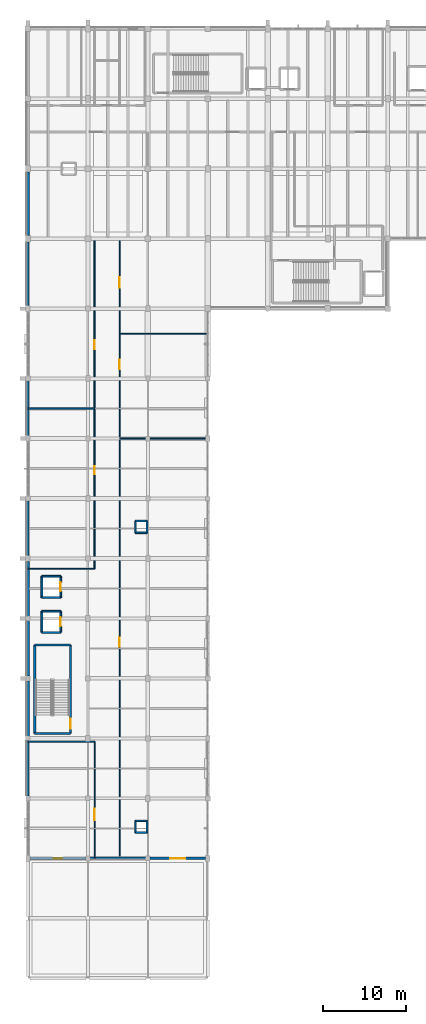
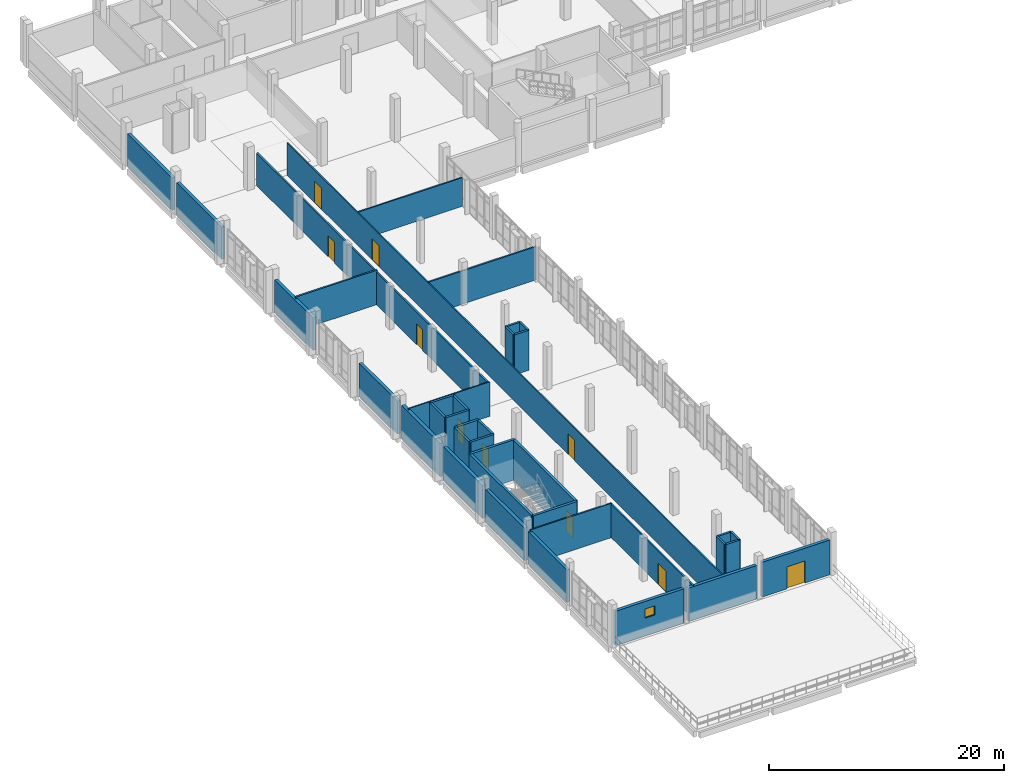
# One storey, part 47 of 57: 39 walls, 10 doors, 1 window, 11 openings.
"""IFC4 building model written with IfcOpenShell, lengths in metres."""

from ifc_helpers import new_model, si_unit, direction, frame, frame_2d, origin, place, context, subcontext, project, spatial, rectangle, extrude, material, layer, layer_set, type_object, element, fill, save


model = new_model("IFC4")

# Units and contexts
model_context = context("Model", 3, precision=1e-05, world=origin(), true_north=direction((0.0, 1.0)))
body_context = subcontext(model_context, "Body", "Model", "MODEL_VIEW")
ifc_project = project(units=[si_unit("LENGTHUNIT", "METRE"), si_unit("AREAUNIT", "SQUARE_METRE"), si_unit("VOLUMEUNIT", "CUBIC_METRE"), si_unit("PLANEANGLEUNIT", "RADIAN"), si_unit("MASSUNIT", "GRAM", prefix="KILO")], contexts=[model_context])

# Site, building, storey
site_placement = place(None, origin())
site = spatial("IfcSite", under=ifc_project, at=site_placement, CompositionType="ELEMENT")
building_placement = place(site_placement, origin())
building = spatial("IfcBuilding", under=site, at=building_placement, Name="Kalluvel Institute of Natural Sciences", CompositionType="ELEMENT")
storey_placement = place(building_placement, frame((0.0, 0.0, 23.39990234375)))
storey = spatial("IfcBuildingStorey", under=building, at=storey_placement, Name="L05", CompositionType="ELEMENT", Elevation=23.39990234375)

# Wall
ifc_material_1 = material(Name="Concrete M40", Category="concrete")
ifc_layer_1 = layer(ifc_material_1, 0.25)
ifc_layer_set_1 = layer_set([ifc_layer_1], Name="Concrete M40")
wall_type_1 = type_object("IfcWallType", Name="WL-CORE-250", PredefinedType="SHEAR", material=ifc_layer_set_1)
wall_1_placement = place(storey_placement, frame((14.81494140625, 43.385009765625, 0.0), z_axis=(0.0, 0.0, 1.0), x_axis=(1.0, 0.0, 0.0)))
element("IfcWall", 1, at=wall_1_placement, inside=storey, type_object=wall_type_1, Name="ST4 L05 core wall S", PredefinedType="SHEAR", context=body_context, shape_type="SweptSolid", body=[
    extrude(rectangle(XDim=4.300048828125, YDim=0.25, at=frame_2d((2.14990234375, 0.0))), origin(), (0.0, 0.0, 1.0), 4.195068359375),
])

# Wall, opening, door
wall_2_placement = place(storey_placement, frame((19.114990234375, 43.385009765625, 0.0), z_axis=(0.0, 0.0, 1.0), x_axis=(0.0, 1.0, 0.0)))
wall_2 = element("IfcWall", 2, at=wall_2_placement, inside=storey, type_object=wall_type_1, Name="ST4 L05 core wall E", PredefinedType="SHEAR", context=body_context, shape_type="SweptSolid", body=[
    extrude(rectangle(XDim=10.6298828125, YDim=0.25, at=frame_2d((5.31494140625, 0.0))), origin(), (0.0, 0.0, 1.0), 4.195068359375),
])
opening_1_placement = place(wall_2_placement, frame((0.550048828125, 0.0, 0.0)))
opening_1 = element("IfcOpeningElement", 3, at=opening_1_placement, cuts=wall_2, Name="Opening DS-040", PredefinedType="OPENING", context=body_context, shape_type="SweptSolid", body=[
    extrude(rectangle(XDim=1.199951171875, YDim=2.14990234375, at=frame_2d((0.60009765625, 1.074951171875))), frame((0.0, 0.135009765625, 0.0), z_axis=(0.0, -1.0, 0.0), x_axis=(1.0, 0.0, 0.0)), (0.0, 0.0, 1.0), 0.27001953125),
])
ifc_material_2 = material(Name="Galvanized Fire-Rated Steel", Category="steel")
door_type_1 = type_object("IfcDoorType", Name="DR-ST-1200", OperationType="NOTDEFINED", PredefinedType="DOOR", material=ifc_material_2)
door_1_placement = place(opening_1_placement, origin())
door_1 = element("IfcDoor", 4, at=door_1_placement, inside=storey, type_object=door_type_1, Name="ST4 L05 protected stair door DS-040", OperationType="SINGLE_SWING_LEFT", OverallHeight=2.14990234375, OverallWidth=1.199951171875, PredefinedType="DOOR", context=body_context, shape_type="SweptSolid", body=[
    extrude(rectangle(XDim=1.199951171875, YDim=2.14990234375, at=frame_2d((0.60009765625, 1.074951171875))), frame((0.0, 0.02490234375, 0.0), z_axis=(0.0, -1.0, 0.0), x_axis=(1.0, 0.0, 0.0)), (0.0, 0.0, 1.0), 0.050048828125),
])
fill(opening_1, door_1)

# Walls
wall_3_placement = place(storey_placement, frame((19.114990234375, 54.014892578125, 0.0), z_axis=(0.0, 0.0, 1.0), x_axis=(-1.0, 0.0, 0.0)))
element("IfcWall", 5, at=wall_3_placement, inside=storey, type_object=wall_type_1, Name="ST4 L05 core wall N", PredefinedType="SHEAR", context=body_context, shape_type="SweptSolid", body=[
    extrude(rectangle(XDim=4.300048828125, YDim=0.25, at=frame_2d((2.14990234375, 0.0))), origin(), (0.0, 0.0, 1.0), 4.195068359375),
])
wall_4_placement = place(storey_placement, frame((14.81494140625, 54.014892578125, 0.0), z_axis=(0.0, 0.0, 1.0), x_axis=(0.0, -1.0, 0.0)))
element("IfcWall", 6, at=wall_4_placement, inside=storey, type_object=wall_type_1, Name="ST4 L05 core wall W", PredefinedType="SHEAR", context=body_context, shape_type="SweptSolid", body=[
    extrude(rectangle(XDim=10.6298828125, YDim=0.25, at=frame_2d((5.31494140625, 0.0))), origin(), (0.0, 0.0, 1.0), 4.195068359375),
])
ifc_material_3 = material(Name="Sadarahalli Grey Granite Ashlar Concrete M40", Category="masonry")
ifc_layer_2 = layer(ifc_material_3, 0.300048828125)
ifc_layer_set_2 = layer_set([ifc_layer_2], Name="Sadarahalli Grey Granite Ashlar Concrete M40")
wall_type_2 = type_object("IfcWallType", Name="WL-EXT-300", PredefinedType="SOLIDWALL", material=ifc_layer_set_2)
wall_5_placement = place(storey_placement, frame((14.0, 35.8798828125, 0.0), z_axis=(0.0, 0.0, 1.0), x_axis=(0.0, 1.0, 0.0)))
element("IfcWall", 7, at=wall_5_placement, inside=storey, type_object=wall_type_2, Name="L05 Sadarahalli granite exterior wall WL-EXT-L05-0191", PredefinedType="SOLIDWALL", context=body_context, shape_type="SweptSolid", body=[
    extrude(rectangle(XDim=6.6650390625, YDim=0.300048828125, at=frame_2d((3.33251953125, 0.0))), origin(), (0.0, 0.0, 1.0), 3.375),
])
wall_6_placement = place(storey_placement, frame((14.0, 64.7548828125, 0.0), z_axis=(0.0, 0.0, 1.0), x_axis=(0.0, 1.0, 0.0)))
element("IfcWall", 8, at=wall_6_placement, inside=storey, type_object=wall_type_2, Name="L05 Sadarahalli granite exterior wall WL-EXT-L05-0195", PredefinedType="SOLIDWALL", context=body_context, shape_type="SweptSolid", body=[
    extrude(rectangle(XDim=6.565185546875, YDim=0.300048828125, at=frame_2d((3.28271484375, 0.0))), origin(), (0.0, 0.0, 1.0), 3.425048828125),
])
wall_7_placement = place(storey_placement, frame((14.0, 79.1298828125, 0.0), z_axis=(0.0, 0.0, 1.0), x_axis=(0.0, 1.0, 0.0)))
element("IfcWall", 9, at=wall_7_placement, inside=storey, type_object=wall_type_2, Name="L05 Sadarahalli granite exterior wall WL-EXT-L05-0196", PredefinedType="SOLIDWALL", context=body_context, shape_type="SweptSolid", body=[
    extrude(rectangle(XDim=6.590087890625, YDim=0.300048828125, at=frame_2d((3.294921875, 0.0))), origin(), (0.0, 0.0, 1.0), 3.375),
])
wall_8_placement = place(storey_placement, frame((14.0, 94.7548828125, 0.0), z_axis=(0.0, 0.0, 1.0), x_axis=(0.0, 1.0, 0.0)))
element("IfcWall", 10, at=wall_8_placement, inside=storey, type_object=wall_type_2, Name="L05 Sadarahalli granite exterior wall WL-EXT-L05-0197", PredefinedType="SOLIDWALL", context=body_context, shape_type="SweptSolid", body=[
    extrude(rectangle(XDim=7.6650390625, YDim=0.300048828125, at=frame_2d((3.83251953125, 0.0))), origin(), (0.0, 0.0, 1.0), 3.35498046875),
])

# Wall, opening, window
wall_9_placement = place(storey_placement, frame((14.22998046875, 28.39990234375, 0.0), z_axis=(0.0, 0.0, 1.0), x_axis=(1.0, 0.0, 0.0)))
wall_9 = element("IfcWall", 11, at=wall_9_placement, inside=storey, type_object=wall_type_2, Name="L05 Sadarahalli granite exterior wall WL-EXT-L05-0198", PredefinedType="SOLIDWALL", context=body_context, shape_type="SweptSolid", body=[
    extrude(rectangle(XDim=6.76513671875, YDim=0.300048828125, at=frame_2d((3.382568359375, 0.0))), origin(), (0.0, 0.0, 1.0), 3.5751953125),
])
opening_2_placement = place(wall_9_placement, frame((2.882568359375, 0.0, 1.85009765625)))
opening_2 = element("IfcOpeningElement", 12, at=opening_2_placement, cuts=wall_9, Name="Opening W-23", PredefinedType="OPENING", context=body_context, shape_type="SweptSolid", body=[
    extrude(rectangle(XDim=1.0, YDim=0.949951171875, at=frame_2d((0.5, 0.47509765625))), frame((0.0, 0.159912109375, 0.0), z_axis=(0.0, -1.0, 0.0), x_axis=(1.0, 0.0, 0.0)), (0.0, 0.0, 1.0), 0.320068359375),
])
ifc_material_4 = material(Name="Solar-Control Low-E Laminated Glass", Category="glass")
window_type = type_object("IfcWindowType", Name="WN-HIGH-100x095", PartitioningType="SINGLE_PANEL", PredefinedType="WINDOW", material=ifc_material_4)
window_placement = place(opening_2_placement, origin())
window = element("IfcWindow", 13, at=window_placement, inside=storey, type_object=window_type, Name="L05 Gothic lancet window 33", OverallHeight=0.949951171875, OverallWidth=1.0, PartitioningType="SINGLE_PANEL", PredefinedType="WINDOW", context=body_context, shape_type="SweptSolid", body=[
    extrude(rectangle(XDim=1.0, YDim=0.949951171875, at=frame_2d((0.5, 0.47509765625))), frame((0.0, 0.030029296875, 0.0), z_axis=(0.0, -1.0, 0.0), x_axis=(1.0, 0.0, 0.0)), (0.0, 0.0, 1.0), 0.06005859375),
])
fill(opening_2, window)

# Wall
wall_10_placement = place(storey_placement, frame((21.405029296875, 28.39990234375, 0.0), z_axis=(0.0, 0.0, 1.0), x_axis=(1.0, 0.0, 0.0)))
element("IfcWall", 14, at=wall_10_placement, inside=storey, type_object=wall_type_2, Name="L05 Sadarahalli granite exterior wall WL-EXT-L05-0199", PredefinedType="SOLIDWALL", context=body_context, shape_type="SweptSolid", body=[
    extrude(rectangle(XDim=6.739990234375, YDim=0.300048828125, at=frame_2d((3.3701171875, 0.0))), origin(), (0.0, 0.0, 1.0), 3.47509765625),
])

# Wall, opening, door
wall_11_placement = place(storey_placement, frame((28.655029296875, 28.39990234375, 0.0), z_axis=(0.0, 0.0, 1.0), x_axis=(1.0, 0.0, 0.0)))
wall_11 = element("IfcWall", 15, at=wall_11_placement, inside=storey, type_object=wall_type_2, Name="L05 Sadarahalli granite exterior wall WL-EXT-L05-0200", PredefinedType="SOLIDWALL", context=body_context, shape_type="SweptSolid", body=[
    extrude(rectangle(XDim=6.68994140625, YDim=0.300048828125, at=frame_2d((3.344970703125, 0.0))), origin(), (0.0, 0.0, 1.0), 3.6201171875),
])
opening_3_placement = place(wall_11_placement, frame((2.445068359375, 0.0, 0.0)))
opening_3 = element("IfcOpeningElement", 16, at=opening_3_placement, cuts=wall_11, Name="Opening DT-004", PredefinedType="OPENING", context=body_context, shape_type="SweptSolid", body=[
    extrude(rectangle(XDim=1.800048828125, YDim=2.300048828125, at=frame_2d((0.89990234375, 1.14990234375))), frame((0.0, 0.159912109375, 0.0), z_axis=(0.0, -1.0, 0.0), x_axis=(1.0, 0.0, 0.0)), (0.0, 0.0, 1.0), 0.320068359375),
])
ifc_material_5 = material(Name="Aluminium AW-6063 T6", Category="aluminium")
door_type_2 = type_object("IfcDoorType", Name="DR-TER-1800", OperationType="NOTDEFINED", PredefinedType="DOOR", material=ifc_material_5)
door_2_placement = place(opening_3_placement, origin())
door_2 = element("IfcDoor", 17, at=door_2_placement, inside=storey, type_object=door_type_2, Name="L05 South Planted Setback Terrace Door", OperationType="DOUBLE_DOOR_SINGLE_SWING", OverallHeight=2.300048828125, OverallWidth=1.800048828125, PredefinedType="DOOR", context=body_context, shape_type="SweptSolid", body=[
    extrude(rectangle(XDim=1.800048828125, YDim=2.300048828125, at=frame_2d((0.89990234375, 1.14990234375))), frame((0.0, 0.02490234375, 0.0), z_axis=(0.0, -1.0, 0.0), x_axis=(1.0, 0.0, 0.0)), (0.0, 0.0, 1.0), 0.050048828125),
])
fill(opening_3, door_2)

# Walls
ifc_layer_3 = layer(ifc_material_3, 0.320068359375)
ifc_layer_set_3 = layer_set([ifc_layer_3], Name="Sadarahalli Grey Granite Ashlar Concrete M40")
wall_type_3 = type_object("IfcWallType", Name="WL-EXT-320", PredefinedType="SOLIDWALL", material=ifc_layer_set_3)
wall_12_placement = place(storey_placement, frame((14.0, 103.179931640625, 0.0), z_axis=(0.0, 0.0, 1.0), x_axis=(0.0, 1.0, 0.0)))
element("IfcWall", 18, at=wall_12_placement, inside=storey, type_object=wall_type_3, Name="L05 Sadarahalli granite exterior wall WL-EXT-L05-0071", PredefinedType="SOLIDWALL", context=body_context, shape_type="SweptSolid", body=[
    extrude(rectangle(XDim=7.64013671875, YDim=0.320068359375, at=frame_2d((3.820068359375, 0.0))), origin(), (0.0, 0.0, 1.0), 3.35498046875),
])
wall_13_placement = place(storey_placement, frame((14.0, 43.054931640625, 0.0), z_axis=(0.0, 0.0, 1.0), x_axis=(0.0, 1.0, 0.0)))
element("IfcWall", 19, at=wall_13_placement, inside=storey, type_object=wall_type_3, Name="L05 Sadarahalli granite exterior wall WL-EXT-L05-0192", PredefinedType="SOLIDWALL", context=body_context, shape_type="SweptSolid", body=[
    extrude(rectangle(XDim=6.6650390625, YDim=0.320068359375, at=frame_2d((3.33251953125, 0.0))), origin(), (0.0, 0.0, 1.0), 3.375),
])
wall_14_placement = place(storey_placement, frame((14.0, 50.280029296875, 0.0), z_axis=(0.0, 0.0, 1.0), x_axis=(0.0, 1.0, 0.0)))
element("IfcWall", 20, at=wall_14_placement, inside=storey, type_object=wall_type_3, Name="L05 Sadarahalli granite exterior wall WL-EXT-L05-0193", PredefinedType="SOLIDWALL", context=body_context, shape_type="SweptSolid", body=[
    extrude(rectangle(XDim=6.6650390625, YDim=0.320068359375, at=frame_2d((3.33251953125, 0.0))), origin(), (0.0, 0.0, 1.0), 3.455078125),
])
wall_15_placement = place(storey_placement, frame((14.0, 57.455078125, 0.0), z_axis=(0.0, 0.0, 1.0), x_axis=(0.0, 1.0, 0.0)))
element("IfcWall", 21, at=wall_15_placement, inside=storey, type_object=wall_type_3, Name="L05 Sadarahalli granite exterior wall WL-EXT-L05-0194", PredefinedType="SOLIDWALL", context=body_context, shape_type="SweptSolid", body=[
    extrude(rectangle(XDim=6.58984375, YDim=0.320068359375, at=frame_2d((3.294921875, 0.0))), origin(), (0.0, 0.0, 1.0), 3.455078125),
])

# Wall, openings, doors
ifc_material_6 = material(Name="Acoustic Gypsum Twin-Stud Partition", Category="gypsum")
ifc_layer_4 = layer(ifc_material_6, 0.1201171875)
ifc_layer_set_4 = layer_set([ifc_layer_4], Name="Acoustic Gypsum Twin-Stud Partition")
wall_type_4 = type_object("IfcWallType", Name="WL-PART-120", PredefinedType="PARTITIONING", material=ifc_layer_set_4)
wall_16_placement = place(storey_placement, frame((25.0, 28.39990234375, 0.0), z_axis=(0.0, 0.0, 1.0), x_axis=(0.0, 1.0, 0.0)))
wall_16 = element("IfcWall", 22, at=wall_16_placement, inside=storey, type_object=wall_type_4, Name="L05 interior partition wall WL-INT-L05-0266", PredefinedType="PARTITIONING", context=body_context, shape_type="SweptSolid", body=[
    extrude(rectangle(XDim=74.400146484375, YDim=0.1201171875, at=frame_2d((37.2001953125, 0.0))), origin(), (0.0, 0.0, 1.0), 3.380126953125),
])
opening_4_placement = place(wall_16_placement, frame((25.39990234375, 0.0, 0.0)))
opening_4 = element("IfcOpeningElement", 23, at=opening_4_placement, cuts=wall_16, Name="Opening D-207", PredefinedType="OPENING", context=body_context, shape_type="SweptSolid", body=[
    extrude(rectangle(XDim=1.10009765625, YDim=2.14990234375, at=frame_2d((0.550048828125, 1.074951171875))), frame((0.0, 0.070068359375, 0.0), z_axis=(0.0, -1.0, 0.0), x_axis=(1.0, 0.0, 0.0)), (0.0, 0.0, 1.0), 0.14013671875),
])
opening_5_placement = place(wall_16_placement, frame((58.699951171875, 0.0, 0.0)))
opening_5 = element("IfcOpeningElement", 24, at=opening_5_placement, cuts=wall_16, Name="Opening D-208", PredefinedType="OPENING", context=body_context, shape_type="SweptSolid", body=[
    extrude(rectangle(XDim=1.179931640625, YDim=2.199951171875, at=frame_2d((0.58984375, 1.10009765625))), frame((0.0, 0.070068359375, 0.0), z_axis=(0.0, -1.0, 0.0), x_axis=(1.0, 0.0, 0.0)), (0.0, 0.0, 1.0), 0.14013671875),
])
opening_6_placement = place(wall_16_placement, frame((68.5, 0.0, 0.0)))
opening_6 = element("IfcOpeningElement", 25, at=opening_6_placement, cuts=wall_16, Name="Opening D-209", PredefinedType="OPENING", context=body_context, shape_type="SweptSolid", body=[
    extrude(rectangle(XDim=1.25, YDim=2.199951171875, at=frame_2d((0.625, 1.10009765625))), frame((0.0, 0.070068359375, 0.0), z_axis=(0.0, -1.0, 0.0), x_axis=(1.0, 0.0, 0.0)), (0.0, 0.0, 1.0), 0.14013671875),
])
ifc_material_7 = material(Name="Engineered Hardwood Acoustic Leaf", Category="wood")
door_type_3 = type_object("IfcDoorType", Name="DR-INT-1100", OperationType="NOTDEFINED", PredefinedType="DOOR", material=ifc_material_7)
door_3_placement = place(opening_4_placement, origin())
door_3 = element("IfcDoor", 26, at=door_3_placement, inside=storey, type_object=door_type_3, Name="Scientific Reference Library and Periodicals Reading Hall door D-207", OperationType="SINGLE_SWING_LEFT", OverallHeight=2.14990234375, OverallWidth=1.10009765625, PredefinedType="DOOR", context=body_context, shape_type="SweptSolid", body=[
    extrude(rectangle(XDim=1.10009765625, YDim=2.14990234375, at=frame_2d((0.550048828125, 1.074951171875))), frame((0.0, 0.02490234375, 0.0), z_axis=(0.0, -1.0, 0.0), x_axis=(1.0, 0.0, 0.0)), (0.0, 0.0, 1.0), 0.050048828125),
])
fill(opening_4, door_3)
door_type_4 = type_object("IfcDoorType", Name="DR-INT-1180", OperationType="NOTDEFINED", PredefinedType="DOOR", material=ifc_material_7)
door_4_placement = place(opening_5_placement, origin())
door_4 = element("IfcDoor", 27, at=door_4_placement, inside=storey, type_object=door_type_4, Name="Rare Natural-History Monographs Room door D-208", OperationType="SINGLE_SWING_RIGHT", OverallHeight=2.199951171875, OverallWidth=1.179931640625, PredefinedType="DOOR", context=body_context, shape_type="SweptSolid", body=[
    extrude(rectangle(XDim=1.179931640625, YDim=2.199951171875, at=frame_2d((0.58984375, 1.10009765625))), frame((0.0, 0.02490234375, 0.0), z_axis=(0.0, -1.0, 0.0), x_axis=(1.0, 0.0, 0.0)), (0.0, 0.0, 1.0), 0.050048828125),
])
fill(opening_5, door_4)
door_type_5 = type_object("IfcDoorType", Name="DR-INT-1250", OperationType="NOTDEFINED", PredefinedType="DOOR", material=ifc_material_7)
door_5_placement = place(opening_6_placement, origin())
door_5 = element("IfcDoor", 28, at=door_5_placement, inside=storey, type_object=door_type_5, Name="Library Cataloguing and Digital Archive Office door D-209", OperationType="SINGLE_SWING_LEFT", OverallHeight=2.199951171875, OverallWidth=1.25, PredefinedType="DOOR", context=body_context, shape_type="SweptSolid", body=[
    extrude(rectangle(XDim=1.25, YDim=2.199951171875, at=frame_2d((0.625, 1.10009765625))), frame((0.0, 0.02490234375, 0.0), z_axis=(0.0, -1.0, 0.0), x_axis=(1.0, 0.0, 0.0)), (0.0, 0.0, 1.0), 0.050048828125),
])
fill(opening_6, door_5)

# Wall, opening, door
wall_17_placement = place(storey_placement, frame((22.0, 28.39990234375, 0.0), z_axis=(0.0, 0.0, 1.0), x_axis=(0.0, 1.0, 0.0)))
wall_17 = element("IfcWall", 29, at=wall_17_placement, inside=storey, type_object=wall_type_4, Name="L05 interior partition wall WL-INT-L05-0269", PredefinedType="PARTITIONING", context=body_context, shape_type="SweptSolid", body=[
    extrude(rectangle(XDim=14.0, YDim=0.1201171875, at=frame_2d((7.0, 0.0))), origin(), (0.0, 0.0, 1.0), 3.47998046875),
])
opening_7_placement = place(wall_17_placement, frame((4.60009765625, 0.0, 0.0)))
opening_7 = element("IfcOpeningElement", 30, at=opening_7_placement, cuts=wall_17, Name="Opening D-210", PredefinedType="OPENING", context=body_context, shape_type="SweptSolid", body=[
    extrude(rectangle(XDim=1.35009765625, YDim=2.199951171875, at=frame_2d((0.675048828125, 1.10009765625))), frame((0.0, 0.070068359375, 0.0), z_axis=(0.0, -1.0, 0.0), x_axis=(1.0, 0.0, 0.0)), (0.0, 0.0, 1.0), 0.14013671875),
])
door_type_6 = type_object("IfcDoorType", Name="DR-INT-1350", OperationType="NOTDEFINED", PredefinedType="DOOR", material=ifc_material_5)
door_6_placement = place(opening_7_placement, origin())
door_6 = element("IfcDoor", 31, at=door_6_placement, inside=storey, type_object=door_type_6, Name="L05 DW-S door D-210", OperationType="SINGLE_SWING_RIGHT", OverallHeight=2.199951171875, OverallWidth=1.35009765625, PredefinedType="DOOR", context=body_context, shape_type="SweptSolid", body=[
    extrude(rectangle(XDim=1.35009765625, YDim=2.199951171875, at=frame_2d((0.675048828125, 1.10009765625))), frame((0.0, 0.02490234375, 0.0), z_axis=(0.0, -1.0, 0.0), x_axis=(1.0, 0.0, 0.0)), (0.0, 0.0, 1.0), 0.050048828125),
])
fill(opening_7, door_6)

# Walls
wall_18_placement = place(storey_placement, frame((14.0, 63.199951171875, 0.0), z_axis=(0.0, 0.0, 1.0), x_axis=(1.0, 0.0, 0.0)))
element("IfcWall", 32, at=wall_18_placement, inside=storey, type_object=wall_type_4, Name="L05 interior partition wall WL-INT-L05-0272", PredefinedType="PARTITIONING", context=body_context, shape_type="SweptSolid", body=[
    extrude(rectangle(XDim=8.0, YDim=0.1201171875, at=frame_2d((4.0, 0.0))), origin(), (0.0, 0.0, 1.0), 3.580078125),
])
ifc_layer_5 = layer(ifc_material_6, 0.139892578125)
ifc_layer_set_5 = layer_set([ifc_layer_5], Name="Acoustic Gypsum Twin-Stud Partition")
wall_type_5 = type_object("IfcWallType", Name="WL-PART-140", PredefinedType="PARTITIONING", material=ifc_layer_set_5)
wall_19_placement = place(storey_placement, frame((25.0, 91.39990234375, 0.0), z_axis=(0.0, 0.0, 1.0), x_axis=(1.0, 0.0, 0.0)))
element("IfcWall", 33, at=wall_19_placement, inside=storey, type_object=wall_type_5, Name="L05 interior partition wall WL-INT-L05-0268", PredefinedType="PARTITIONING", context=body_context, shape_type="SweptSolid", body=[
    extrude(rectangle(XDim=10.60009765625, YDim=0.139892578125, at=frame_2d((5.300048828125, 0.0))), origin(), (0.0, 0.0, 1.0), 2.97998046875),
])
wall_20_placement = place(storey_placement, frame((14.0, 42.39990234375, 0.0), z_axis=(0.0, 0.0, 1.0), x_axis=(1.0, 0.0, 0.0)))
element("IfcWall", 34, at=wall_20_placement, inside=storey, type_object=wall_type_5, Name="L05 interior partition wall WL-INT-L05-0271", PredefinedType="PARTITIONING", context=body_context, shape_type="SweptSolid", body=[
    extrude(rectangle(XDim=8.0, YDim=0.139892578125, at=frame_2d((4.0, 0.0))), origin(), (0.0, 0.0, 1.0), 3.580078125),
])
ifc_material_8 = material(Name="Autoclaved Aerated Concrete Masonry Block", Category="masonry")
ifc_layer_6 = layer(ifc_material_8, 0.159912109375)
ifc_layer_set_6 = layer_set([ifc_layer_6], Name="Autoclaved Aerated Concrete Masonry Block")
wall_type_6 = type_object("IfcWallType", Name="WL-PART-160", PredefinedType="PARTITIONING", material=ifc_layer_set_6)
wall_21_placement = place(storey_placement, frame((25.0, 78.800048828125, 0.0), z_axis=(0.0, 0.0, 1.0), x_axis=(1.0, 0.0, 0.0)))
element("IfcWall", 35, at=wall_21_placement, inside=storey, type_object=wall_type_6, Name="L05 interior partition wall WL-INT-L05-0267", PredefinedType="PARTITIONING", context=body_context, shape_type="SweptSolid", body=[
    extrude(rectangle(XDim=10.60009765625, YDim=0.159912109375, at=frame_2d((5.300048828125, 0.0))), origin(), (0.0, 0.0, 1.0), 3.460205078125),
])

# Wall, openings, doors
wall_22_placement = place(storey_placement, frame((22.0, 63.199951171875, 0.0), z_axis=(0.0, 0.0, 1.0), x_axis=(0.0, 1.0, 0.0)))
wall_22 = element("IfcWall", 36, at=wall_22_placement, inside=storey, type_object=wall_type_6, Name="L05 interior partition wall WL-INT-L05-0270", PredefinedType="PARTITIONING", context=body_context, shape_type="SweptSolid", body=[
    extrude(rectangle(XDim=39.60009765625, YDim=0.159912109375, at=frame_2d((19.800048828125, 0.0))), origin(), (0.0, 0.0, 1.0), 3.380126953125),
])
opening_8_placement = place(wall_22_placement, frame((11.300048828125, 0.0, 0.0)))
opening_8 = element("IfcOpeningElement", 37, at=opening_8_placement, cuts=wall_22, Name="Opening D-211", PredefinedType="OPENING", context=body_context, shape_type="SweptSolid", body=[
    extrude(rectangle(XDim=1.0, YDim=2.14990234375, at=frame_2d((0.5, 1.074951171875))), frame((0.0, 0.08984375, 0.0), z_axis=(0.0, -1.0, 0.0), x_axis=(1.0, 0.0, 0.0)), (0.0, 0.0, 1.0), 0.179931640625),
])
opening_9_placement = place(wall_22_placement, frame((26.300048828125, 0.0, 0.0)))
opening_9 = element("IfcOpeningElement", 38, at=opening_9_placement, cuts=wall_22, Name="Opening D-212", PredefinedType="OPENING", context=body_context, shape_type="SweptSolid", body=[
    extrude(rectangle(XDim=1.10009765625, YDim=2.14990234375, at=frame_2d((0.550048828125, 1.074951171875))), frame((0.0, 0.08984375, 0.0), z_axis=(0.0, -1.0, 0.0), x_axis=(1.0, 0.0, 0.0)), (0.0, 0.0, 1.0), 0.179931640625),
])
door_type_7 = type_object("IfcDoorType", Name="DR-INT-1000", OperationType="NOTDEFINED", PredefinedType="DOOR", material=ifc_material_7)
door_7_placement = place(opening_8_placement, origin())
door_7 = element("IfcDoor", 39, at=door_7_placement, inside=storey, type_object=door_type_7, Name="L05 DW-N1 door D-211", OperationType="SINGLE_SWING_LEFT", OverallHeight=2.14990234375, OverallWidth=1.0, PredefinedType="DOOR", context=body_context, shape_type="SweptSolid", body=[
    extrude(rectangle(XDim=1.0, YDim=2.14990234375, at=frame_2d((0.5, 1.074951171875))), frame((0.0, 0.02490234375, 0.0), z_axis=(0.0, -1.0, 0.0), x_axis=(1.0, 0.0, 0.0)), (0.0, 0.0, 1.0), 0.050048828125),
])
fill(opening_8, door_7)
door_8_placement = place(opening_9_placement, origin())
door_8 = element("IfcDoor", 40, at=door_8_placement, inside=storey, type_object=door_type_3, Name="L05 DW-N2 door D-212", OperationType="SINGLE_SWING_RIGHT", OverallHeight=2.14990234375, OverallWidth=1.10009765625, PredefinedType="DOOR", context=body_context, shape_type="SweptSolid", body=[
    extrude(rectangle(XDim=1.10009765625, YDim=2.14990234375, at=frame_2d((0.550048828125, 1.074951171875))), frame((0.0, 0.02490234375, 0.0), z_axis=(0.0, -1.0, 0.0), x_axis=(1.0, 0.0, 0.0)), (0.0, 0.0, 1.0), 0.050048828125),
])
fill(opening_9, door_8)

# Walls
wall_23_placement = place(storey_placement, frame((14.0, 82.39990234375, 0.0), z_axis=(0.0, 0.0, 1.0), x_axis=(1.0, 0.0, 0.0)))
element("IfcWall", 41, at=wall_23_placement, inside=storey, type_object=wall_type_6, Name="L05 interior partition wall WL-INT-L05-0273", PredefinedType="PARTITIONING", context=body_context, shape_type="SweptSolid", body=[
    extrude(rectangle(XDim=8.0, YDim=0.159912109375, at=frame_2d((4.0, 0.0))), origin(), (0.0, 0.0, 1.0), 3.580078125),
])
ifc_layer_7 = layer(ifc_material_1, 0.199951171875)
ifc_layer_set_7 = layer_set([ifc_layer_7], Name="Concrete M40")
wall_type_7 = type_object("IfcWallType", Name="WL-RISER-200", PredefinedType="SHEAR", material=ifc_layer_set_7)
wall_24_placement = place(storey_placement, frame((26.89990234375, 31.5, 0.0), z_axis=(0.0, 0.0, 1.0), x_axis=(1.0, 0.0, 0.0)))
element("IfcWall", 42, at=wall_24_placement, inside=storey, type_object=wall_type_7, Name="RS-DRY-S L05 service riser enclosure S", PredefinedType="SHEAR", context=body_context, shape_type="SweptSolid", body=[
    extrude(rectangle(XDim=1.400146484375, YDim=0.199951171875, at=frame_2d((0.7001953125, 0.0))), origin(), (0.0, 0.0, 1.0), 4.16015625),
])
wall_25_placement = place(storey_placement, frame((28.300048828125, 31.5, 0.0), z_axis=(0.0, 0.0, 1.0), x_axis=(0.0, 1.0, 0.0)))
element("IfcWall", 43, at=wall_25_placement, inside=storey, type_object=wall_type_7, Name="RS-DRY-S L05 service riser enclosure E", PredefinedType="SHEAR", context=body_context, shape_type="SweptSolid", body=[
    extrude(rectangle(XDim=1.39990234375, YDim=0.199951171875, at=frame_2d((0.699951171875, 0.0))), origin(), (0.0, 0.0, 1.0), 4.16015625),
])
wall_26_placement = place(storey_placement, frame((28.300048828125, 32.89990234375, 0.0), z_axis=(0.0, 0.0, 1.0), x_axis=(-1.0, 0.0, 0.0)))
element("IfcWall", 44, at=wall_26_placement, inside=storey, type_object=wall_type_7, Name="RS-DRY-S L05 service riser enclosure N", PredefinedType="SHEAR", context=body_context, shape_type="SweptSolid", body=[
    extrude(rectangle(XDim=1.400146484375, YDim=0.199951171875, at=frame_2d((0.7001953125, 0.0))), origin(), (0.0, 0.0, 1.0), 4.16015625),
])
wall_27_placement = place(storey_placement, frame((26.89990234375, 32.89990234375, 0.0), z_axis=(0.0, 0.0, 1.0), x_axis=(0.0, -1.0, 0.0)))
element("IfcWall", 45, at=wall_27_placement, inside=storey, type_object=wall_type_7, Name="RS-DRY-S L05 service riser enclosure W", PredefinedType="SHEAR", context=body_context, shape_type="SweptSolid", body=[
    extrude(rectangle(XDim=1.39990234375, YDim=0.199951171875, at=frame_2d((0.699951171875, 0.0))), origin(), (0.0, 0.0, 1.0), 4.16015625),
])
wall_28_placement = place(storey_placement, frame((26.89990234375, 67.5, 0.0), z_axis=(0.0, 0.0, 1.0), x_axis=(1.0, 0.0, 0.0)))
element("IfcWall", 46, at=wall_28_placement, inside=storey, type_object=wall_type_7, Name="RS-DRY-N L05 service riser enclosure S", PredefinedType="SHEAR", context=body_context, shape_type="SweptSolid", body=[
    extrude(rectangle(XDim=1.400146484375, YDim=0.199951171875, at=frame_2d((0.7001953125, 0.0))), origin(), (0.0, 0.0, 1.0), 4.16015625),
])
wall_29_placement = place(storey_placement, frame((28.300048828125, 67.5, 0.0), z_axis=(0.0, 0.0, 1.0), x_axis=(0.0, 1.0, 0.0)))
element("IfcWall", 47, at=wall_29_placement, inside=storey, type_object=wall_type_7, Name="RS-DRY-N L05 service riser enclosure E", PredefinedType="SHEAR", context=body_context, shape_type="SweptSolid", body=[
    extrude(rectangle(XDim=1.39990234375, YDim=0.199951171875, at=frame_2d((0.699951171875, 0.0))), origin(), (0.0, 0.0, 1.0), 4.16015625),
])
wall_30_placement = place(storey_placement, frame((28.300048828125, 68.89990234375, 0.0), z_axis=(0.0, 0.0, 1.0), x_axis=(-1.0, 0.0, 0.0)))
element("IfcWall", 48, at=wall_30_placement, inside=storey, type_object=wall_type_7, Name="RS-DRY-N L05 service riser enclosure N", PredefinedType="SHEAR", context=body_context, shape_type="SweptSolid", body=[
    extrude(rectangle(XDim=1.400146484375, YDim=0.199951171875, at=frame_2d((0.7001953125, 0.0))), origin(), (0.0, 0.0, 1.0), 4.16015625),
])
wall_31_placement = place(storey_placement, frame((26.89990234375, 68.89990234375, 0.0), z_axis=(0.0, 0.0, 1.0), x_axis=(0.0, -1.0, 0.0)))
element("IfcWall", 49, at=wall_31_placement, inside=storey, type_object=wall_type_7, Name="RS-DRY-N L05 service riser enclosure W", PredefinedType="SHEAR", context=body_context, shape_type="SweptSolid", body=[
    extrude(rectangle(XDim=1.39990234375, YDim=0.199951171875, at=frame_2d((0.699951171875, 0.0))), origin(), (0.0, 0.0, 1.0), 4.16015625),
])
ifc_layer_8 = layer(ifc_material_1, 0.219970703125)
ifc_layer_set_8 = layer_set([ifc_layer_8], Name="Concrete M40")
wall_type_8 = type_object("IfcWallType", Name="WL-SHAFT-220", PredefinedType="SHEAR", material=ifc_layer_set_8)
wall_32_placement = place(storey_placement, frame((15.669921875, 55.52001953125, 0.0), z_axis=(0.0, 0.0, 1.0), x_axis=(1.0, 0.0, 0.0)))
element("IfcWall", 50, at=wall_32_placement, inside=storey, type_object=wall_type_8, Name="LF6 L05 lift shaft wall", PredefinedType="SHEAR", context=body_context, shape_type="SweptSolid", body=[
    extrude(rectangle(XDim=2.260009765625, YDim=0.219970703125, at=frame_2d((1.1298828125, 0.0))), origin(), (0.0, 0.0, 1.0), 4.195068359375),
])

# Wall, opening, door
wall_33_placement = place(storey_placement, frame((17.929931640625, 55.52001953125, 0.0), z_axis=(0.0, 0.0, 1.0), x_axis=(0.0, 1.0, 0.0)))
wall_33 = element("IfcWall", 51, at=wall_33_placement, inside=storey, type_object=wall_type_8, Name="LF6 L05 lift shaft wall", PredefinedType="SHEAR", context=body_context, shape_type="SweptSolid", body=[
    extrude(rectangle(XDim=2.56005859375, YDim=0.219970703125, at=frame_2d((1.280029296875, 0.0))), origin(), (0.0, 0.0, 1.0), 4.195068359375),
])
opening_10_placement = place(wall_33_placement, frame((0.72998046875, 0.0, 0.0)))
opening_10 = element("IfcOpeningElement", 52, at=opening_10_placement, cuts=wall_33, Name="Opening LD-049", PredefinedType="OPENING", context=body_context, shape_type="SweptSolid", body=[
    extrude(rectangle(XDim=1.10009765625, YDim=2.14990234375, at=frame_2d((0.550048828125, 1.074951171875))), frame((0.0, 0.119873046875, 0.0), z_axis=(0.0, -1.0, 0.0), x_axis=(1.0, 0.0, 0.0)), (0.0, 0.0, 1.0), 0.239990234375),
])
door_type_8 = type_object("IfcDoorType", Name="DR-LD-1100", OperationType="NOTDEFINED", PredefinedType="DOOR", material=ifc_material_2)
door_9_placement = place(opening_10_placement, origin())
door_9 = element("IfcDoor", 53, at=door_9_placement, inside=storey, type_object=door_type_8, Name="LF6 L05 sliding lift landing door LD-049", OperationType="DOUBLE_DOOR_SLIDING", OverallHeight=2.14990234375, OverallWidth=1.10009765625, PredefinedType="DOOR", context=body_context, shape_type="SweptSolid", body=[
    extrude(rectangle(XDim=1.10009765625, YDim=2.14990234375, at=frame_2d((0.550048828125, 1.074951171875))), frame((0.0, 0.02490234375, 0.0), z_axis=(0.0, -1.0, 0.0), x_axis=(1.0, 0.0, 0.0)), (0.0, 0.0, 1.0), 0.050048828125),
])
fill(opening_10, door_9)

# Walls
wall_34_placement = place(storey_placement, frame((17.929931640625, 58.080078125, 0.0), z_axis=(0.0, 0.0, 1.0), x_axis=(-1.0, 0.0, 0.0)))
element("IfcWall", 54, at=wall_34_placement, inside=storey, type_object=wall_type_8, Name="LF6 L05 lift shaft wall", PredefinedType="SHEAR", context=body_context, shape_type="SweptSolid", body=[
    extrude(rectangle(XDim=2.260009765625, YDim=0.219970703125, at=frame_2d((1.1298828125, 0.0))), origin(), (0.0, 0.0, 1.0), 4.195068359375),
])
wall_35_placement = place(storey_placement, frame((15.669921875, 58.080078125, 0.0), z_axis=(0.0, 0.0, 1.0), x_axis=(0.0, -1.0, 0.0)))
element("IfcWall", 55, at=wall_35_placement, inside=storey, type_object=wall_type_8, Name="LF6 L05 lift shaft wall", PredefinedType="SHEAR", context=body_context, shape_type="SweptSolid", body=[
    extrude(rectangle(XDim=2.56005859375, YDim=0.219970703125, at=frame_2d((1.280029296875, 0.0))), origin(), (0.0, 0.0, 1.0), 4.195068359375),
])
wall_36_placement = place(storey_placement, frame((15.669921875, 59.719970703125, 0.0), z_axis=(0.0, 0.0, 1.0), x_axis=(1.0, 0.0, 0.0)))
element("IfcWall", 56, at=wall_36_placement, inside=storey, type_object=wall_type_8, Name="LF7 L05 lift shaft wall", PredefinedType="SHEAR", context=body_context, shape_type="SweptSolid", body=[
    extrude(rectangle(XDim=2.260009765625, YDim=0.219970703125, at=frame_2d((1.1298828125, 0.0))), origin(), (0.0, 0.0, 1.0), 4.195068359375),
])

# Wall, opening, door
wall_37_placement = place(storey_placement, frame((17.929931640625, 59.719970703125, 0.0), z_axis=(0.0, 0.0, 1.0), x_axis=(0.0, 1.0, 0.0)))
wall_37 = element("IfcWall", 57, at=wall_37_placement, inside=storey, type_object=wall_type_8, Name="LF7 L05 lift shaft wall", PredefinedType="SHEAR", context=body_context, shape_type="SweptSolid", body=[
    extrude(rectangle(XDim=2.56005859375, YDim=0.219970703125, at=frame_2d((1.280029296875, 0.0))), origin(), (0.0, 0.0, 1.0), 4.195068359375),
])
opening_11_placement = place(wall_37_placement, frame((0.72998046875, 0.0, 0.0)))
opening_11 = element("IfcOpeningElement", 58, at=opening_11_placement, cuts=wall_37, Name="Opening LD-057", PredefinedType="OPENING", context=body_context, shape_type="SweptSolid", body=[
    extrude(rectangle(XDim=1.10009765625, YDim=2.14990234375, at=frame_2d((0.550048828125, 1.074951171875))), frame((0.0, 0.119873046875, 0.0), z_axis=(0.0, -1.0, 0.0), x_axis=(1.0, 0.0, 0.0)), (0.0, 0.0, 1.0), 0.239990234375),
])
door_10_placement = place(opening_11_placement, origin())
door_10 = element("IfcDoor", 59, at=door_10_placement, inside=storey, type_object=door_type_8, Name="LF7 L05 sliding lift landing door LD-057", OperationType="DOUBLE_DOOR_SLIDING", OverallHeight=2.14990234375, OverallWidth=1.10009765625, PredefinedType="DOOR", context=body_context, shape_type="SweptSolid", body=[
    extrude(rectangle(XDim=1.10009765625, YDim=2.14990234375, at=frame_2d((0.550048828125, 1.074951171875))), frame((0.0, 0.02490234375, 0.0), z_axis=(0.0, -1.0, 0.0), x_axis=(1.0, 0.0, 0.0)), (0.0, 0.0, 1.0), 0.050048828125),
])
fill(opening_11, door_10)

# Walls
wall_38_placement = place(storey_placement, frame((17.929931640625, 62.280029296875, 0.0), z_axis=(0.0, 0.0, 1.0), x_axis=(-1.0, 0.0, 0.0)))
element("IfcWall", 60, at=wall_38_placement, inside=storey, type_object=wall_type_8, Name="LF7 L05 lift shaft wall", PredefinedType="SHEAR", context=body_context, shape_type="SweptSolid", body=[
    extrude(rectangle(XDim=2.260009765625, YDim=0.219970703125, at=frame_2d((1.1298828125, 0.0))), origin(), (0.0, 0.0, 1.0), 4.195068359375),
])
wall_39_placement = place(storey_placement, frame((15.669921875, 62.280029296875, 0.0), z_axis=(0.0, 0.0, 1.0), x_axis=(0.0, -1.0, 0.0)))
element("IfcWall", 61, at=wall_39_placement, inside=storey, type_object=wall_type_8, Name="LF7 L05 lift shaft wall", PredefinedType="SHEAR", context=body_context, shape_type="SweptSolid", body=[
    extrude(rectangle(XDim=2.56005859375, YDim=0.219970703125, at=frame_2d((1.280029296875, 0.0))), origin(), (0.0, 0.0, 1.0), 4.195068359375),
])

save(model, "model.ifc")
